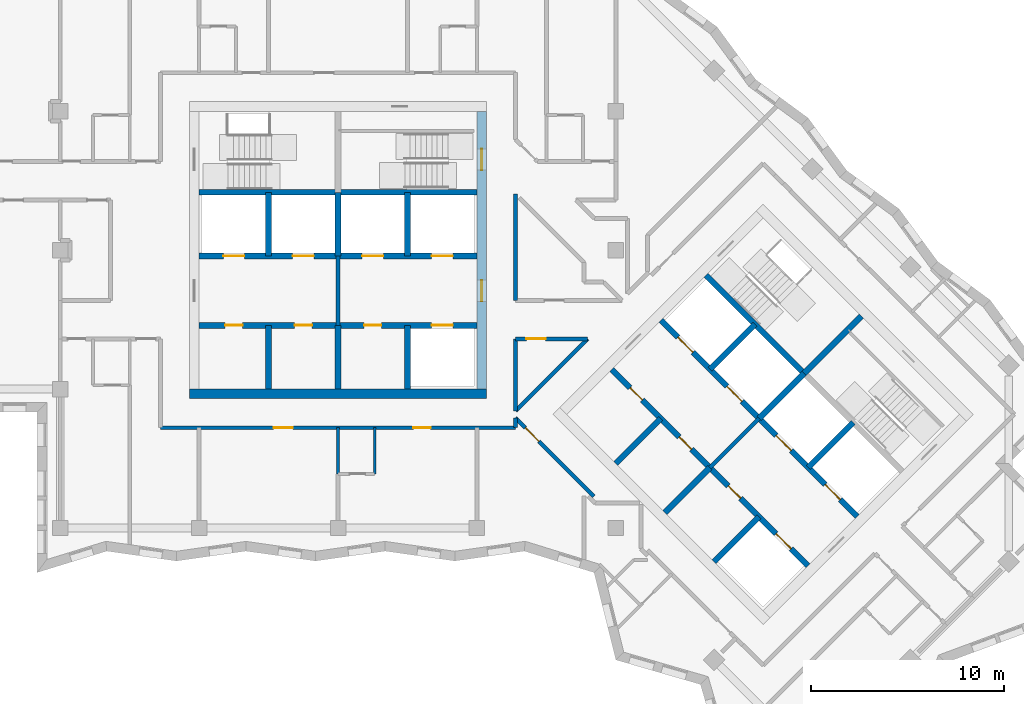
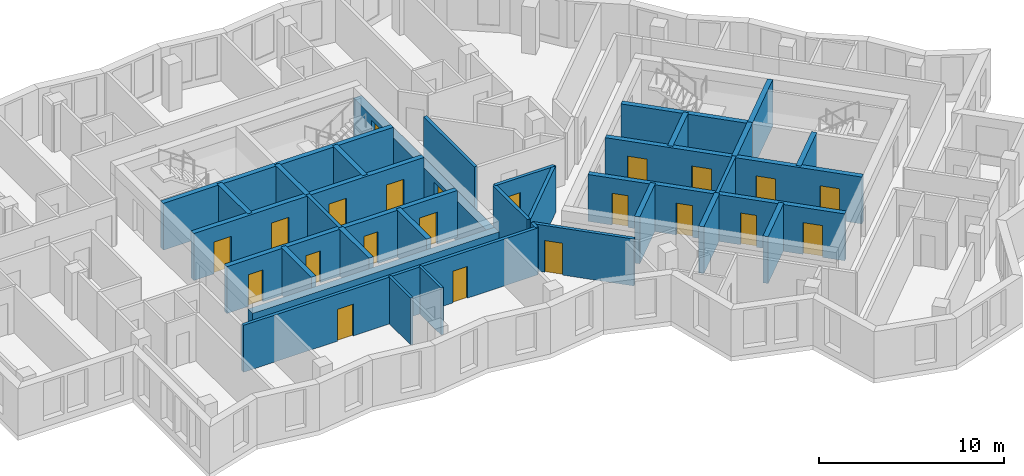
# One storey, part 4 of 12: 33 walls, 22 doors, 22 openings.
"""IFC4 building model written with IfcOpenShell, lengths in metres."""

from ifc_helpers import new_model, si_unit, direction, frame, frame_2d, origin, place, context, subcontext, project, spatial, rectangle, extrude, material, layer, layer_set, type_object, element, fill, save


model = new_model("IFC4")

# Units and contexts
model_context = context("Model", 3, precision=1e-05, world=origin(), true_north=direction((0.0, 1.0)))
body_context = subcontext(model_context, "Body", "Model", "MODEL_VIEW")
ifc_project = project(units=[si_unit("LENGTHUNIT", "METRE"), si_unit("AREAUNIT", "SQUARE_METRE"), si_unit("VOLUMEUNIT", "CUBIC_METRE"), si_unit("PLANEANGLEUNIT", "RADIAN"), si_unit("MASSUNIT", "GRAM", prefix="KILO")], contexts=[model_context])

# Site, building, storey
site_placement = place(None, origin())
site = spatial("IfcSite", under=ifc_project, at=site_placement, CompositionType="ELEMENT")
building_placement = place(site_placement, origin())
building = spatial("IfcBuilding", under=site, at=building_placement, Name="Windrow Commons", CompositionType="ELEMENT")
storey_placement = place(building_placement, frame((0.0, 0.0, 213.4)))
storey = spatial("IfcBuildingStorey", under=building, at=storey_placement, Name="L58", CompositionType="ELEMENT", Elevation=213.4)

# Walls
ifc_material_1 = material(Name="Blockwork partition", Category="masonry")
ifc_layer_1 = layer(ifc_material_1, 0.2)
ifc_layer_set_1 = layer_set([ifc_layer_1], Name="Fire lobby partition 200")
wall_type_1 = type_object("IfcWallType", Name="Fire lobby partition 200", PredefinedType="PARTITIONING", material=ifc_layer_set_1)
for number, where, z_axis, x_axis, name in (
    (1, (64.8, 53.7, 0.0), (0.0, 0.0, 1.0), (0.0, 1.0, 0.0), "W-core-lobby-A-L58"),
    (2, (84.079, 46.332, 0.0), (0.0, 0.0, 1.0), (0.7071067812, 0.7071067812, 0.0), "W-core-lobby-B-L58"),
):
    element("IfcWall", number, at=place(storey_placement, frame(where, z_axis=z_axis, x_axis=x_axis)), inside=storey, type_object=wall_type_1, Name=name, PredefinedType="PARTITIONING", context=body_context, shape_type="SweptSolid", body=[
        extrude(rectangle(XDim=3.6, YDim=0.2, at=frame_2d((1.8, 0.0))), origin(), (0.0, 0.0, 1.0), 3.1),
    ])

# Wall, openings, doors
ifc_material_2 = material(Name="Blockwork partition", Category="masonry")
ifc_layer_2 = layer(ifc_material_2, 0.2)
ifc_layer_set_2 = layer_set([ifc_layer_2], Name="IW-CORRIDOR-200")
wall_type_2 = type_object("IfcWallType", Name="IW-CORRIDOR-200", PredefinedType="PARTITIONING", material=ifc_layer_set_2)
wall_1_placement = place(storey_placement, frame((55.6, 48.4, 0.0), z_axis=(0.0, 0.0, 1.0), x_axis=(1.0, 0.0, 0.0)))
wall_1 = element("IfcWall", 3, at=wall_1_placement, inside=storey, type_object=wall_type_2, Name="W-L58-W000", PredefinedType="PARTITIONING", context=body_context, shape_type="SweptSolid", body=[
    extrude(rectangle(XDim=18.4, YDim=0.2, at=frame_2d((9.2, 0.0))), origin(), (0.0, 0.0, 1.0), 3.1),
])
opening_1_placement = place(wall_1_placement, frame((5.8625, 0.0, 0.0)))
opening_1 = element("IfcOpeningElement", 4, at=opening_1_placement, cuts=wall_1, Name="Opening D310F", PredefinedType="OPENING", context=body_context, shape_type="SweptSolid", body=[
    extrude(rectangle(XDim=1.0, YDim=2.1, at=frame_2d((0.5, 1.05))), frame((0.0, 0.11, 0.0), z_axis=(0.0, -1.0, 0.0), x_axis=(1.0, 0.0, 0.0)), (0.0, 0.0, 1.0), 0.22),
])
opening_2_placement = place(wall_1_placement, frame((13.0994, 0.0, 0.0)))
opening_2 = element("IfcOpeningElement", 5, at=opening_2_placement, cuts=wall_1, Name="Opening D109F", PredefinedType="OPENING", context=body_context, shape_type="SweptSolid", body=[
    extrude(rectangle(XDim=0.9, YDim=2.1, at=frame_2d((0.45, 1.05))), frame((0.0, 0.11, 0.0), z_axis=(0.0, -1.0, 0.0), x_axis=(1.0, 0.0, 0.0)), (0.0, 0.0, 1.0), 0.22),
])
ifc_material_3 = material(Name="Timber door leaf", Category="wood")
door_type_1 = type_object("IfcDoorType", Name="DT-AMENITY-1000", OperationType="SINGLE_SWING_LEFT", PredefinedType="DOOR", material=ifc_material_3)
door_1_placement = place(opening_1_placement, origin())
door_1 = element("IfcDoor", 6, at=door_1_placement, inside=storey, type_object=door_type_1, Name="D-L58-D030", OperationType="SINGLE_SWING_LEFT", OverallHeight=2.1, OverallWidth=1.0, PredefinedType="DOOR", context=body_context, shape_type="SweptSolid", body=[
    extrude(rectangle(XDim=1.0, YDim=2.1, at=frame_2d((0.5, 1.05))), frame((0.0, 0.025, 0.0), z_axis=(0.0, -1.0, 0.0), x_axis=(1.0, 0.0, 0.0)), (0.0, 0.0, 1.0), 0.05),
])
fill(opening_1, door_1)
ifc_material_4 = material(Name="Timber door leaf", Category="wood")
door_type_2 = type_object("IfcDoorType", Name="DT-BEDROOM-900", OperationType="SINGLE_SWING_LEFT", PredefinedType="DOOR", material=ifc_material_4)
door_2_placement = place(opening_2_placement, origin())
door_2 = element("IfcDoor", 7, at=door_2_placement, inside=storey, type_object=door_type_2, Name="D-L58-D031", OperationType="SINGLE_SWING_LEFT", OverallHeight=2.1, OverallWidth=0.9, PredefinedType="DOOR", context=body_context, shape_type="SweptSolid", body=[
    extrude(rectangle(XDim=0.9, YDim=2.1, at=frame_2d((0.45, 1.05))), frame((0.0, 0.025, 0.0), z_axis=(0.0, -1.0, 0.0), x_axis=(1.0, 0.0, 0.0)), (0.0, 0.0, 1.0), 0.05),
])
fill(opening_2, door_2)

# Wall, opening, door
wall_2_placement = place(storey_placement, frame((73.9987, 48.9107, 0.0), z_axis=(0.0, 0.0, 1.0), x_axis=(0.7071067812, -0.7071067812, 0.0)))
wall_2 = element("IfcWall", 8, at=wall_2_placement, inside=storey, type_object=wall_type_2, Name="W-L58-W027", PredefinedType="PARTITIONING", context=body_context, shape_type="SweptSolid", body=[
    extrude(rectangle(XDim=5.7445, YDim=0.2, at=frame_2d((2.8723, 0.0))), origin(), (0.0, 0.0, 1.0), 3.1),
])
opening_3_placement = place(wall_2_placement, frame((0.7238, 0.0, 0.0)))
opening_3 = element("IfcOpeningElement", 9, at=opening_3_placement, cuts=wall_2, Name="Opening D310F", PredefinedType="OPENING", context=body_context, shape_type="SweptSolid", body=[
    extrude(rectangle(XDim=1.0, YDim=2.1, at=frame_2d((0.5, 1.05))), frame((0.0, 0.11, 0.0), z_axis=(0.0, -1.0, 0.0), x_axis=(1.0, 0.0, 0.0)), (0.0, 0.0, 1.0), 0.22),
])
door_3_placement = place(opening_3_placement, origin())
door_3 = element("IfcDoor", 10, at=door_3_placement, inside=storey, type_object=door_type_1, Name="D-L58-D033", OperationType="SINGLE_SWING_LEFT", OverallHeight=2.1, OverallWidth=1.0, PredefinedType="DOOR", context=body_context, shape_type="SweptSolid", body=[
    extrude(rectangle(XDim=1.0, YDim=2.1, at=frame_2d((0.5, 1.05))), frame((0.0, 0.025, 0.0), z_axis=(0.0, -1.0, 0.0), x_axis=(1.0, 0.0, 0.0)), (0.0, 0.0, 1.0), 0.05),
])
fill(opening_3, door_3)

# Walls
wall_3_placement = place(storey_placement, frame((74.0, 55.002, 0.0), z_axis=(0.0, 0.0, 1.0), x_axis=(0.0, 1.0, 0.0)))
element("IfcWall", 11, at=wall_3_placement, inside=storey, type_object=wall_type_2, Name="W-L58-W030", PredefinedType="PARTITIONING", context=body_context, shape_type="SweptSolid", body=[
    extrude(rectangle(XDim=5.508, YDim=0.2, at=frame_2d((2.754, 0.0))), origin(), (0.0, 0.0, 1.0), 3.1),
])
wall_4_placement = place(storey_placement, frame((74.0013, 49.2667, 0.0), z_axis=(0.0, 0.0, 1.0), x_axis=(0.7071067812, 0.7071067812, 0.0)))
element("IfcWall", 12, at=wall_4_placement, inside=storey, type_object=wall_type_2, Name="W-L58-W031", PredefinedType="PARTITIONING", context=body_context, shape_type="SweptSolid", body=[
    extrude(rectangle(XDim=5.2778, YDim=0.2, at=frame_2d((2.6389, 0.0))), origin(), (0.0, 0.0, 1.0), 3.1),
])
wall_5_placement = place(storey_placement, frame((74.0, 49.266, 0.0), z_axis=(0.0, 0.0, 1.0), x_axis=(0.0, 1.0, 0.0)))
element("IfcWall", 13, at=wall_5_placement, inside=storey, type_object=wall_type_2, Name="W-L58-W046", PredefinedType="PARTITIONING", context=body_context, shape_type="SweptSolid", body=[
    extrude(rectangle(XDim=3.734, YDim=0.2, at=frame_2d((1.867, 0.0))), origin(), (0.0, 0.0, 1.0), 3.1),
])

# Wall, opening, door
wall_6_placement = place(storey_placement, frame((74.002, 53.0, 0.0), z_axis=(0.0, 0.0, 1.0), x_axis=(1.0, 0.0, 0.0)))
wall_6 = element("IfcWall", 14, at=wall_6_placement, inside=storey, type_object=wall_type_2, Name="W-L58-W047", PredefinedType="PARTITIONING", context=body_context, shape_type="SweptSolid", body=[
    extrude(rectangle(XDim=3.732, YDim=0.2, at=frame_2d((1.866, 0.0))), origin(), (0.0, 0.0, 1.0), 3.1),
])
opening_4_placement = place(wall_6_placement, frame((0.5641, 0.0, 0.0)))
opening_4 = element("IfcOpeningElement", 15, at=opening_4_placement, cuts=wall_6, Name="Opening D410F", PredefinedType="OPENING", context=body_context, shape_type="SweptSolid", body=[
    extrude(rectangle(XDim=1.0, YDim=2.1, at=frame_2d((0.5, 1.05))), frame((0.0, 0.11, 0.0), z_axis=(0.0, -1.0, 0.0), x_axis=(1.0, 0.0, 0.0)), (0.0, 0.0, 1.0), 0.22),
])
ifc_material_5 = material(Name="Timber door leaf", Category="wood")
door_type_3 = type_object("IfcDoorType", Name="DT-SERVICE-1000", OperationType="SINGLE_SWING_LEFT", PredefinedType="DOOR", material=ifc_material_5)
door_4_placement = place(opening_4_placement, origin())
door_4 = element("IfcDoor", 16, at=door_4_placement, inside=storey, type_object=door_type_3, Name="D-L58-D000", OperationType="SINGLE_SWING_RIGHT", OverallHeight=2.1, OverallWidth=1.0, PredefinedType="DOOR", context=body_context, shape_type="SweptSolid", body=[
    extrude(rectangle(XDim=1.0, YDim=2.1, at=frame_2d((0.5, 1.05))), frame((0.0, 0.025, 0.0), z_axis=(0.0, -1.0, 0.0), x_axis=(1.0, 0.0, 0.0)), (0.0, 0.0, 1.0), 0.05),
])
fill(opening_4, door_4)

# Walls
wall_7_placement = place(storey_placement, frame((74.0, 48.4, 0.0), z_axis=(0.0, 0.0, 1.0), x_axis=(0.0, 1.0, 0.0)))
element("IfcWall", 17, at=wall_7_placement, inside=storey, type_object=wall_type_2, Name="W-L58-W139", PredefinedType="PARTITIONING", context=body_context, shape_type="SweptSolid", body=[
    extrude(rectangle(XDim=0.514, YDim=0.2, at=frame_2d((0.257, 0.0))), origin(), (0.0, 0.0, 1.0), 3.1),
])
ifc_material_6 = material(Name="Blockwork partition", Category="masonry")
ifc_layer_3 = layer(ifc_material_6, 0.15)
ifc_layer_set_3 = layer_set([ifc_layer_3], Name="IW-ENSUITE-150")
wall_type_3 = type_object("IfcWallType", Name="IW-ENSUITE-150", PredefinedType="PARTITIONING", material=ifc_layer_set_3)
for number, where, z_axis, x_axis, name in (
    (18, (66.7, 46.0, 0.0), (0.0, 0.0, 1.0), (0.0, 1.0, 0.0), "W-L58-W071"),
    (19, (64.8, 46.0, 0.0), (0.0, 0.0, 1.0), (0.0, 1.0, 0.0), "W-L58-W072"),
):
    element("IfcWall", number, at=place(storey_placement, frame(where, z_axis=z_axis, x_axis=x_axis)), inside=storey, type_object=wall_type_3, Name=name, PredefinedType="PARTITIONING", context=body_context, shape_type="SweptSolid", body=[
        extrude(rectangle(XDim=2.4, YDim=0.15, at=frame_2d((1.2, 0.0))), origin(), (0.0, 0.0, 1.0), 3.1),
    ])
ifc_material_7 = material(Name="Concrete C40/50", Category="concrete")
ifc_layer_4 = layer(ifc_material_7, 0.5)
ifc_layer_set_4 = layer_set([ifc_layer_4], Name="RC CORE WALL 500 C40/50")
wall_type_4 = type_object("IfcWallType", Name="RC CORE WALL 500 C40/50", PredefinedType="SHEAR", material=ifc_layer_set_4)
wall_8_placement = place(storey_placement, frame((57.1, 50.15, -0.3), z_axis=(0.0, 0.0, 1.0), x_axis=(1.0, 0.0, 0.0)))
element("IfcWall", 20, at=wall_8_placement, inside=storey, type_object=wall_type_4, Name="Core A wall outer-S", PredefinedType="SHEAR", context=body_context, shape_type="SweptSolid", body=[
    extrude(rectangle(XDim=15.4, YDim=0.5, at=frame_2d((7.7, 0.0))), origin(), (0.0, 0.0, 1.0), 2.7),
])

# Wall, openings, doors
wall_9_placement = place(storey_placement, frame((72.25, 50.4, -0.3), z_axis=(0.0, 0.0, 1.0), x_axis=(0.0, 1.0, 0.0)))
wall_9 = element("IfcWall", 21, at=wall_9_placement, inside=storey, type_object=wall_type_4, Name="Core A wall outer-E", PredefinedType="SHEAR", context=body_context, shape_type="SweptSolid", body=[
    extrude(rectangle(XDim=14.4, YDim=0.5, at=frame_2d((7.2, 0.0))), origin(), (0.0, 0.0, 1.0), 2.7),
])
opening_5_placement = place(wall_9_placement, frame((4.55, 0.0, 0.3)))
opening_5 = element("IfcOpeningElement", 22, at=opening_5_placement, cuts=wall_9, Name="Opening D6", PredefinedType="OPENING", context=body_context, shape_type="SweptSolid", body=[
    extrude(rectangle(XDim=1.1, YDim=2.1, at=frame_2d((0.55, 1.05))), frame((0.0, 0.26, 0.0), z_axis=(0.0, -1.0, 0.0), x_axis=(1.0, 0.0, 0.0)), (0.0, 0.0, 1.0), 0.52),
])
opening_6_placement = place(wall_9_placement, frame((11.35, 0.0, 0.3)))
opening_6 = element("IfcOpeningElement", 23, at=opening_6_placement, cuts=wall_9, Name="Opening D7", PredefinedType="OPENING", context=body_context, shape_type="SweptSolid", body=[
    extrude(rectangle(XDim=1.1, YDim=2.1, at=frame_2d((0.55, 1.05))), frame((0.0, 0.26, 0.0), z_axis=(0.0, -1.0, 0.0), x_axis=(1.0, 0.0, 0.0)), (0.0, 0.0, 1.0), 0.52),
])
ifc_material_8 = material(Name="Steel fire door leaf", Category="steel")
door_type_4 = type_object("IfcDoorType", Name="Core lobby door 1100", OperationType="SINGLE_SWING_LEFT", PredefinedType="DOOR", material=ifc_material_8)
door_5_placement = place(opening_5_placement, origin())
door_5 = element("IfcDoor", 24, at=door_5_placement, inside=storey, type_object=door_type_4, Name="Lift lobby door", OperationType="DOUBLE_DOOR_SINGLE_SWING", OverallHeight=2.1, OverallWidth=1.1, PredefinedType="DOOR", context=body_context, shape_type="SweptSolid", body=[
    extrude(rectangle(XDim=1.1, YDim=2.1, at=frame_2d((0.55, 1.05))), frame((0.0, 0.025, 0.0), z_axis=(0.0, -1.0, 0.0), x_axis=(1.0, 0.0, 0.0)), (0.0, 0.0, 1.0), 0.05),
])
fill(opening_5, door_5)
ifc_material_9 = material(Name="Steel fire door leaf", Category="steel")
door_type_5 = type_object("IfcDoorType", Name="Stair door 1100", OperationType="SINGLE_SWING_LEFT", PredefinedType="DOOR", material=ifc_material_9)
door_6_placement = place(opening_6_placement, origin())
door_6 = element("IfcDoor", 25, at=door_6_placement, inside=storey, type_object=door_type_5, Name="Stair door", OperationType="SINGLE_SWING_RIGHT", OverallHeight=2.1, OverallWidth=1.1, PredefinedType="DOOR", context=body_context, shape_type="SweptSolid", body=[
    extrude(rectangle(XDim=1.1, YDim=2.1, at=frame_2d((0.55, 1.05))), frame((0.0, 0.025, 0.0), z_axis=(0.0, -1.0, 0.0), x_axis=(1.0, 0.0, 0.0)), (0.0, 0.0, 1.0), 0.05),
])
fill(opening_6, door_6)

# Walls
ifc_material_10 = material(Name="Concrete C40/50", Category="concrete")
ifc_layer_5 = layer(ifc_material_10, 0.3)
ifc_layer_set_5 = layer_set([ifc_layer_5], Name="RC SHAFT WALL 300 C40/50")
wall_type_5 = type_object("IfcWallType", Name="RC SHAFT WALL 300 C40/50", PredefinedType="SOLIDWALL", material=ifc_layer_set_5)
for number, where, z_axis, x_axis, name in (
    (26, (61.2, 50.4, 0.0), (0.0, 0.0, 1.0), (0.0, 1.0, 0.0), "Core A wall shaft-S1"),
    (27, (61.2, 57.3, 0.0), (0.0, 0.0, 1.0), (0.0, 1.0, 0.0), "Core A wall shaft-N1"),
    (28, (64.8, 50.4, 0.0), (0.0, 0.0, 1.0), (0.0, 1.0, 0.0), "Core A wall shaft-S2"),
    (29, (64.8, 57.3, 0.0), (0.0, 0.0, 1.0), (0.0, 1.0, 0.0), "Core A wall shaft-N2"),
    (30, (68.4, 50.4, 0.0), (0.0, 0.0, 1.0), (0.0, 1.0, 0.0), "Core A wall shaft-S3"),
    (31, (68.4, 57.3, 0.0), (0.0, 0.0, 1.0), (0.0, 1.0, 0.0), "Core A wall shaft-N3"),
):
    element("IfcWall", number, at=place(storey_placement, frame(where, z_axis=z_axis, x_axis=x_axis)), inside=storey, type_object=wall_type_5, Name=name, PredefinedType="SOLIDWALL", context=body_context, shape_type="SweptSolid", body=[
        extrude(rectangle(XDim=3.3, YDim=0.3, at=frame_2d((1.65, 0.0))), origin(), (0.0, 0.0, 1.0), 3.1),
    ])

# Wall, openings, doors
wall_10_placement = place(storey_placement, frame((57.6, 53.7, 0.0), z_axis=(0.0, 0.0, 1.0), x_axis=(1.0, 0.0, 0.0)))
wall_10 = element("IfcWall", 32, at=wall_10_placement, inside=storey, type_object=wall_type_5, Name="Core A wall lobby-S", PredefinedType="SOLIDWALL", context=body_context, shape_type="SweptSolid", body=[
    extrude(rectangle(XDim=14.4, YDim=0.3, at=frame_2d((7.2, 0.0))), origin(), (0.0, 0.0, 1.0), 3.1),
])
opening_7_placement = place(wall_10_placement, frame((1.35, 0.0, 0.0)))
opening_7 = element("IfcOpeningElement", 33, at=opening_7_placement, cuts=wall_10, Name="Opening D8", PredefinedType="OPENING", context=body_context, shape_type="SweptSolid", body=[
    extrude(rectangle(XDim=0.9, YDim=2.1, at=frame_2d((0.45, 1.05))), frame((0.0, 0.16, 0.0), z_axis=(0.0, -1.0, 0.0), x_axis=(1.0, 0.0, 0.0)), (0.0, 0.0, 1.0), 0.32),
])
opening_8_placement = place(wall_10_placement, frame((4.95, 0.0, 0.0)))
opening_8 = element("IfcOpeningElement", 34, at=opening_8_placement, cuts=wall_10, Name="Opening D8", PredefinedType="OPENING", context=body_context, shape_type="SweptSolid", body=[
    extrude(rectangle(XDim=0.9, YDim=2.1, at=frame_2d((0.45, 1.05))), frame((0.0, 0.16, 0.0), z_axis=(0.0, -1.0, 0.0), x_axis=(1.0, 0.0, 0.0)), (0.0, 0.0, 1.0), 0.32),
])
opening_9_placement = place(wall_10_placement, frame((8.55, 0.0, 0.0)))
opening_9 = element("IfcOpeningElement", 35, at=opening_9_placement, cuts=wall_10, Name="Opening D8", PredefinedType="OPENING", context=body_context, shape_type="SweptSolid", body=[
    extrude(rectangle(XDim=0.9, YDim=2.1, at=frame_2d((0.45, 1.05))), frame((0.0, 0.16, 0.0), z_axis=(0.0, -1.0, 0.0), x_axis=(1.0, 0.0, 0.0)), (0.0, 0.0, 1.0), 0.32),
])
opening_10_placement = place(wall_10_placement, frame((12.05, 0.0, 0.0)))
opening_10 = element("IfcOpeningElement", 36, at=opening_10_placement, cuts=wall_10, Name="Opening LD", PredefinedType="OPENING", context=body_context, shape_type="SweptSolid", body=[
    extrude(rectangle(XDim=1.1, YDim=2.1, at=frame_2d((0.55, 1.05))), frame((0.0, 0.16, 0.0), z_axis=(0.0, -1.0, 0.0), x_axis=(1.0, 0.0, 0.0)), (0.0, 0.0, 1.0), 0.32),
])
ifc_material_11 = material(Name="Steel fire door leaf", Category="steel")
door_type_6 = type_object("IfcDoorType", Name="Core store door 900", OperationType="SINGLE_SWING_LEFT", PredefinedType="DOOR", material=ifc_material_11)
door_7_placement = place(opening_7_placement, origin())
door_7 = element("IfcDoor", 37, at=door_7_placement, inside=storey, type_object=door_type_6, Name="Store door", OperationType="SINGLE_SWING_LEFT", OverallHeight=2.1, OverallWidth=0.9, PredefinedType="DOOR", context=body_context, shape_type="SweptSolid", body=[
    extrude(rectangle(XDim=0.9, YDim=2.1, at=frame_2d((0.45, 1.05))), frame((0.0, 0.025, 0.0), z_axis=(0.0, -1.0, 0.0), x_axis=(1.0, 0.0, 0.0)), (0.0, 0.0, 1.0), 0.05),
])
fill(opening_7, door_7)
door_8_placement = place(opening_8_placement, origin())
door_8 = element("IfcDoor", 38, at=door_8_placement, inside=storey, type_object=door_type_6, Name="Store door", OperationType="SINGLE_SWING_LEFT", OverallHeight=2.1, OverallWidth=0.9, PredefinedType="DOOR", context=body_context, shape_type="SweptSolid", body=[
    extrude(rectangle(XDim=0.9, YDim=2.1, at=frame_2d((0.45, 1.05))), frame((0.0, 0.025, 0.0), z_axis=(0.0, -1.0, 0.0), x_axis=(1.0, 0.0, 0.0)), (0.0, 0.0, 1.0), 0.05),
])
fill(opening_8, door_8)
door_9_placement = place(opening_9_placement, origin())
door_9 = element("IfcDoor", 39, at=door_9_placement, inside=storey, type_object=door_type_6, Name="Store door", OperationType="SINGLE_SWING_LEFT", OverallHeight=2.1, OverallWidth=0.9, PredefinedType="DOOR", context=body_context, shape_type="SweptSolid", body=[
    extrude(rectangle(XDim=0.9, YDim=2.1, at=frame_2d((0.45, 1.05))), frame((0.0, 0.025, 0.0), z_axis=(0.0, -1.0, 0.0), x_axis=(1.0, 0.0, 0.0)), (0.0, 0.0, 1.0), 0.05),
])
fill(opening_9, door_9)
ifc_material_12 = material(Name="Stainless steel door leaf", Category="steel")
door_type_7 = type_object("IfcDoorType", Name="Lift landing door 1100", OperationType="SLIDING_TO_LEFT", PredefinedType="DOOR", material=ifc_material_12)
door_10_placement = place(opening_10_placement, origin())
door_10 = element("IfcDoor", 40, at=door_10_placement, inside=storey, type_object=door_type_7, Name="Lift landing door", OperationType="SLIDING_TO_RIGHT", OverallHeight=2.1, OverallWidth=1.1, PredefinedType="DOOR", context=body_context, shape_type="SweptSolid", body=[
    extrude(rectangle(XDim=1.1, YDim=2.1, at=frame_2d((0.55, 1.05))), frame((0.0, 0.025, 0.0), z_axis=(0.0, -1.0, 0.0), x_axis=(1.0, 0.0, 0.0)), (0.0, 0.0, 1.0), 0.05),
])
fill(opening_10, door_10)

wall_11_placement = place(storey_placement, frame((57.6, 57.3, 0.0), z_axis=(0.0, 0.0, 1.0), x_axis=(1.0, 0.0, 0.0)))
wall_11 = element("IfcWall", 41, at=wall_11_placement, inside=storey, type_object=wall_type_5, Name="Core A wall lobby-N", PredefinedType="SOLIDWALL", context=body_context, shape_type="SweptSolid", body=[
    extrude(rectangle(XDim=14.4, YDim=0.3, at=frame_2d((7.2, 0.0))), origin(), (0.0, 0.0, 1.0), 3.1),
])
opening_11_placement = place(wall_11_placement, frame((1.25, 0.0, 0.0)))
opening_11 = element("IfcOpeningElement", 42, at=opening_11_placement, cuts=wall_11, Name="Opening LD", PredefinedType="OPENING", context=body_context, shape_type="SweptSolid", body=[
    extrude(rectangle(XDim=1.1, YDim=2.1, at=frame_2d((0.55, 1.05))), frame((0.0, 0.16, 0.0), z_axis=(0.0, -1.0, 0.0), x_axis=(1.0, 0.0, 0.0)), (0.0, 0.0, 1.0), 0.32),
])
opening_12_placement = place(wall_11_placement, frame((4.85, 0.0, 0.0)))
opening_12 = element("IfcOpeningElement", 43, at=opening_12_placement, cuts=wall_11, Name="Opening LD", PredefinedType="OPENING", context=body_context, shape_type="SweptSolid", body=[
    extrude(rectangle(XDim=1.1, YDim=2.1, at=frame_2d((0.55, 1.05))), frame((0.0, 0.16, 0.0), z_axis=(0.0, -1.0, 0.0), x_axis=(1.0, 0.0, 0.0)), (0.0, 0.0, 1.0), 0.32),
])
opening_13_placement = place(wall_11_placement, frame((8.45, 0.0, 0.0)))
opening_13 = element("IfcOpeningElement", 44, at=opening_13_placement, cuts=wall_11, Name="Opening LD", PredefinedType="OPENING", context=body_context, shape_type="SweptSolid", body=[
    extrude(rectangle(XDim=1.1, YDim=2.1, at=frame_2d((0.55, 1.05))), frame((0.0, 0.16, 0.0), z_axis=(0.0, -1.0, 0.0), x_axis=(1.0, 0.0, 0.0)), (0.0, 0.0, 1.0), 0.32),
])
opening_14_placement = place(wall_11_placement, frame((12.05, 0.0, 0.0)))
opening_14 = element("IfcOpeningElement", 45, at=opening_14_placement, cuts=wall_11, Name="Opening LD", PredefinedType="OPENING", context=body_context, shape_type="SweptSolid", body=[
    extrude(rectangle(XDim=1.1, YDim=2.1, at=frame_2d((0.55, 1.05))), frame((0.0, 0.16, 0.0), z_axis=(0.0, -1.0, 0.0), x_axis=(1.0, 0.0, 0.0)), (0.0, 0.0, 1.0), 0.32),
])
door_11_placement = place(opening_11_placement, origin())
door_11 = element("IfcDoor", 46, at=door_11_placement, inside=storey, type_object=door_type_7, Name="Lift landing door", OperationType="SLIDING_TO_LEFT", OverallHeight=2.1, OverallWidth=1.1, PredefinedType="DOOR", context=body_context, shape_type="SweptSolid", body=[
    extrude(rectangle(XDim=1.1, YDim=2.1, at=frame_2d((0.55, 1.05))), frame((0.0, 0.025, 0.0), z_axis=(0.0, -1.0, 0.0), x_axis=(1.0, 0.0, 0.0)), (0.0, 0.0, 1.0), 0.05),
])
fill(opening_11, door_11)
door_12_placement = place(opening_12_placement, origin())
door_12 = element("IfcDoor", 47, at=door_12_placement, inside=storey, type_object=door_type_7, Name="Lift landing door", OperationType="SLIDING_TO_RIGHT", OverallHeight=2.1, OverallWidth=1.1, PredefinedType="DOOR", context=body_context, shape_type="SweptSolid", body=[
    extrude(rectangle(XDim=1.1, YDim=2.1, at=frame_2d((0.55, 1.05))), frame((0.0, 0.025, 0.0), z_axis=(0.0, -1.0, 0.0), x_axis=(1.0, 0.0, 0.0)), (0.0, 0.0, 1.0), 0.05),
])
fill(opening_12, door_12)
door_13_placement = place(opening_13_placement, origin())
door_13 = element("IfcDoor", 48, at=door_13_placement, inside=storey, type_object=door_type_7, Name="Lift landing door", OperationType="SLIDING_TO_LEFT", OverallHeight=2.1, OverallWidth=1.1, PredefinedType="DOOR", context=body_context, shape_type="SweptSolid", body=[
    extrude(rectangle(XDim=1.1, YDim=2.1, at=frame_2d((0.55, 1.05))), frame((0.0, 0.025, 0.0), z_axis=(0.0, -1.0, 0.0), x_axis=(1.0, 0.0, 0.0)), (0.0, 0.0, 1.0), 0.05),
])
fill(opening_13, door_13)
door_14_placement = place(opening_14_placement, origin())
door_14 = element("IfcDoor", 49, at=door_14_placement, inside=storey, type_object=door_type_7, Name="Lift landing door", OperationType="SLIDING_TO_RIGHT", OverallHeight=2.1, OverallWidth=1.1, PredefinedType="DOOR", context=body_context, shape_type="SweptSolid", body=[
    extrude(rectangle(XDim=1.1, YDim=2.1, at=frame_2d((0.55, 1.05))), frame((0.0, 0.025, 0.0), z_axis=(0.0, -1.0, 0.0), x_axis=(1.0, 0.0, 0.0)), (0.0, 0.0, 1.0), 0.05),
])
fill(opening_14, door_14)

# Walls
for number, where, z_axis, x_axis, name in (
    (50, (57.6, 60.6, 0.0), (0.0, 0.0, 1.0), (1.0, 0.0, 0.0), "Core A wall stair-S"),
    (51, (64.8, 60.6, 0.0), (0.0, 0.0, 1.0), (1.0, 0.0, 0.0), "Core A wall stair-S2"),
):
    element("IfcWall", number, at=place(storey_placement, frame(where, z_axis=z_axis, x_axis=x_axis)), inside=storey, type_object=wall_type_5, Name=name, PredefinedType="SOLIDWALL", context=body_context, shape_type="SweptSolid", body=[
        extrude(rectangle(XDim=7.2, YDim=0.3, at=frame_2d((3.6, 0.0))), origin(), (0.0, 0.0, 1.0), 3.1),
    ])
for number, where, z_axis, x_axis, name in (
    (52, (79.2, 46.5442, 0.0), (0.0, 0.0, 1.0), (0.7071219326, 0.7070916295, 0.0), "Core B wall shaft-S1"),
    (53, (84.079, 51.4232, 0.0), (0.0, 0.0, 1.0), (0.7071219326, 0.7070916295, 0.0), "Core B wall shaft-N1"),
):
    element("IfcWall", number, at=place(storey_placement, frame(where, z_axis=z_axis, x_axis=x_axis)), inside=storey, type_object=wall_type_5, Name=name, PredefinedType="SOLIDWALL", context=body_context, shape_type="SweptSolid", body=[
        extrude(rectangle(XDim=3.3, YDim=0.3, at=frame_2d((1.65, 0.0))), origin(), (0.0, 0.0, 1.0), 3.1),
    ])
wall_12_placement = place(storey_placement, frame((81.7456, 43.9986, 0.0), z_axis=(0.0, 0.0, 1.0), x_axis=(0.7071067812, 0.7071067812, 0.0)))
element("IfcWall", 54, at=wall_12_placement, inside=storey, type_object=wall_type_5, Name="Core B wall shaft-S2", PredefinedType="SOLIDWALL", context=body_context, shape_type="SweptSolid", body=[
    extrude(rectangle(XDim=3.2999, YDim=0.3, at=frame_2d((1.65, 0.0))), origin(), (0.0, 0.0, 1.0), 3.1),
])
wall_13_placement = place(storey_placement, frame((86.6246, 48.8776, 0.0), z_axis=(0.0, 0.0, 1.0), x_axis=(0.7071067812, 0.7071067812, 0.0)))
element("IfcWall", 55, at=wall_13_placement, inside=storey, type_object=wall_type_5, Name="Core B wall shaft-N2", PredefinedType="SOLIDWALL", context=body_context, shape_type="SweptSolid", body=[
    extrude(rectangle(XDim=3.3001, YDim=0.3, at=frame_2d((1.6501, 0.0))), origin(), (0.0, 0.0, 1.0), 3.1),
])
wall_14_placement = place(storey_placement, frame((84.2912, 41.453, 0.0), z_axis=(0.0, 0.0, 1.0), x_axis=(0.7071067812, 0.7071067812, 0.0)))
element("IfcWall", 56, at=wall_14_placement, inside=storey, type_object=wall_type_5, Name="Core B wall shaft-S3", PredefinedType="SOLIDWALL", context=body_context, shape_type="SweptSolid", body=[
    extrude(rectangle(XDim=3.2999, YDim=0.3, at=frame_2d((1.65, 0.0))), origin(), (0.0, 0.0, 1.0), 3.1),
])
wall_15_placement = place(storey_placement, frame((89.1702, 46.332, 0.0), z_axis=(0.0, 0.0, 1.0), x_axis=(0.7071067812, 0.7071067812, 0.0)))
element("IfcWall", 57, at=wall_15_placement, inside=storey, type_object=wall_type_5, Name="Core B wall shaft-N3", PredefinedType="SOLIDWALL", context=body_context, shape_type="SweptSolid", body=[
    extrude(rectangle(XDim=3.3001, YDim=0.3, at=frame_2d((1.6501, 0.0))), origin(), (0.0, 0.0, 1.0), 3.1),
])

# Wall, openings, doors
wall_16_placement = place(storey_placement, frame((78.9879, 51.4232, 0.0), z_axis=(0.0, 0.0, 1.0), x_axis=(0.7071067812, -0.7071067812, 0.0)))
wall_16 = element("IfcWall", 58, at=wall_16_placement, inside=storey, type_object=wall_type_5, Name="Core B wall lobby-S", PredefinedType="SOLIDWALL", context=body_context, shape_type="SweptSolid", body=[
    extrude(rectangle(XDim=14.3999, YDim=0.3, at=frame_2d((7.2, 0.0))), origin(), (0.0, 0.0, 1.0), 3.1),
])
opening_15_placement = place(wall_16_placement, frame((1.35, 0.0, 0.0)))
opening_15 = element("IfcOpeningElement", 59, at=opening_15_placement, cuts=wall_16, Name="Opening D8", PredefinedType="OPENING", context=body_context, shape_type="SweptSolid", body=[
    extrude(rectangle(XDim=0.9, YDim=2.1, at=frame_2d((0.45, 1.05))), frame((0.0, 0.16, 0.0), z_axis=(0.0, -1.0, 0.0), x_axis=(1.0, 0.0, 0.0)), (0.0, 0.0, 1.0), 0.32),
])
opening_16_placement = place(wall_16_placement, frame((4.95, 0.0, 0.0)))
opening_16 = element("IfcOpeningElement", 60, at=opening_16_placement, cuts=wall_16, Name="Opening D8", PredefinedType="OPENING", context=body_context, shape_type="SweptSolid", body=[
    extrude(rectangle(XDim=0.9, YDim=2.1, at=frame_2d((0.45, 1.05))), frame((0.0, 0.16, 0.0), z_axis=(0.0, -1.0, 0.0), x_axis=(1.0, 0.0, 0.0)), (0.0, 0.0, 1.0), 0.32),
])
opening_17_placement = place(wall_16_placement, frame((8.55, 0.0, 0.0)))
opening_17 = element("IfcOpeningElement", 61, at=opening_17_placement, cuts=wall_16, Name="Opening D8", PredefinedType="OPENING", context=body_context, shape_type="SweptSolid", body=[
    extrude(rectangle(XDim=0.9, YDim=2.1, at=frame_2d((0.45, 1.05))), frame((0.0, 0.16, 0.0), z_axis=(0.0, -1.0, 0.0), x_axis=(1.0, 0.0, 0.0)), (0.0, 0.0, 1.0), 0.32),
])
opening_18_placement = place(wall_16_placement, frame((12.05, 0.0, 0.0)))
opening_18 = element("IfcOpeningElement", 62, at=opening_18_placement, cuts=wall_16, Name="Opening LD", PredefinedType="OPENING", context=body_context, shape_type="SweptSolid", body=[
    extrude(rectangle(XDim=1.1, YDim=2.1, at=frame_2d((0.55, 1.05))), frame((0.0, 0.16, 0.0), z_axis=(0.0, -1.0, 0.0), x_axis=(1.0, 0.0, 0.0)), (0.0, 0.0, 1.0), 0.32),
])
door_15_placement = place(opening_15_placement, origin())
door_15 = element("IfcDoor", 63, at=door_15_placement, inside=storey, type_object=door_type_6, Name="Store door", OperationType="SINGLE_SWING_LEFT", OverallHeight=2.1, OverallWidth=0.9, PredefinedType="DOOR", context=body_context, shape_type="SweptSolid", body=[
    extrude(rectangle(XDim=0.9, YDim=2.1, at=frame_2d((0.45, 1.05))), frame((0.0, 0.025, 0.0), z_axis=(0.0, -1.0, 0.0), x_axis=(1.0, 0.0, 0.0)), (0.0, 0.0, 1.0), 0.05),
])
fill(opening_15, door_15)
door_16_placement = place(opening_16_placement, origin())
door_16 = element("IfcDoor", 64, at=door_16_placement, inside=storey, type_object=door_type_6, Name="Store door", OperationType="SINGLE_SWING_LEFT", OverallHeight=2.1, OverallWidth=0.9, PredefinedType="DOOR", context=body_context, shape_type="SweptSolid", body=[
    extrude(rectangle(XDim=0.9, YDim=2.1, at=frame_2d((0.45, 1.05))), frame((0.0, 0.025, 0.0), z_axis=(0.0, -1.0, 0.0), x_axis=(1.0, 0.0, 0.0)), (0.0, 0.0, 1.0), 0.05),
])
fill(opening_16, door_16)
door_17_placement = place(opening_17_placement, origin())
door_17 = element("IfcDoor", 65, at=door_17_placement, inside=storey, type_object=door_type_6, Name="Store door", OperationType="SINGLE_SWING_LEFT", OverallHeight=2.1, OverallWidth=0.9, PredefinedType="DOOR", context=body_context, shape_type="SweptSolid", body=[
    extrude(rectangle(XDim=0.9, YDim=2.1, at=frame_2d((0.45, 1.05))), frame((0.0, 0.025, 0.0), z_axis=(0.0, -1.0, 0.0), x_axis=(1.0, 0.0, 0.0)), (0.0, 0.0, 1.0), 0.05),
])
fill(opening_17, door_17)
door_18_placement = place(opening_18_placement, origin())
door_18 = element("IfcDoor", 66, at=door_18_placement, inside=storey, type_object=door_type_7, Name="Lift landing door", OperationType="SLIDING_TO_RIGHT", OverallHeight=2.1, OverallWidth=1.1, PredefinedType="DOOR", context=body_context, shape_type="SweptSolid", body=[
    extrude(rectangle(XDim=1.1, YDim=2.1, at=frame_2d((0.55, 1.05))), frame((0.0, 0.025, 0.0), z_axis=(0.0, -1.0, 0.0), x_axis=(1.0, 0.0, 0.0)), (0.0, 0.0, 1.0), 0.05),
])
fill(opening_18, door_18)

wall_17_placement = place(storey_placement, frame((81.5335, 53.9688, 0.0), z_axis=(0.0, 0.0, 1.0), x_axis=(0.707103309, -0.7071102534, 0.0)))
wall_17 = element("IfcWall", 67, at=wall_17_placement, inside=storey, type_object=wall_type_5, Name="Core B wall lobby-N", PredefinedType="SOLIDWALL", context=body_context, shape_type="SweptSolid", body=[
    extrude(rectangle(XDim=14.4, YDim=0.3, at=frame_2d((7.2, 0.0))), origin(), (0.0, 0.0, 1.0), 3.1),
])
opening_19_placement = place(wall_17_placement, frame((1.25, 0.0, 0.0)))
opening_19 = element("IfcOpeningElement", 68, at=opening_19_placement, cuts=wall_17, Name="Opening LD", PredefinedType="OPENING", context=body_context, shape_type="SweptSolid", body=[
    extrude(rectangle(XDim=1.1, YDim=2.1, at=frame_2d((0.55, 1.05))), frame((0.0, 0.16, 0.0), z_axis=(0.0, -1.0, 0.0), x_axis=(1.0, 0.0, 0.0)), (0.0, 0.0, 1.0), 0.32),
])
opening_20_placement = place(wall_17_placement, frame((4.85, 0.0, 0.0)))
opening_20 = element("IfcOpeningElement", 69, at=opening_20_placement, cuts=wall_17, Name="Opening LD", PredefinedType="OPENING", context=body_context, shape_type="SweptSolid", body=[
    extrude(rectangle(XDim=1.1, YDim=2.1, at=frame_2d((0.55, 1.05))), frame((0.0, 0.16, 0.0), z_axis=(0.0, -1.0, 0.0), x_axis=(1.0, 0.0, 0.0)), (0.0, 0.0, 1.0), 0.32),
])
opening_21_placement = place(wall_17_placement, frame((8.45, 0.0, 0.0)))
opening_21 = element("IfcOpeningElement", 70, at=opening_21_placement, cuts=wall_17, Name="Opening LD", PredefinedType="OPENING", context=body_context, shape_type="SweptSolid", body=[
    extrude(rectangle(XDim=1.1, YDim=2.1, at=frame_2d((0.55, 1.05))), frame((0.0, 0.16, 0.0), z_axis=(0.0, -1.0, 0.0), x_axis=(1.0, 0.0, 0.0)), (0.0, 0.0, 1.0), 0.32),
])
opening_22_placement = place(wall_17_placement, frame((12.05, 0.0, 0.0)))
opening_22 = element("IfcOpeningElement", 71, at=opening_22_placement, cuts=wall_17, Name="Opening LD", PredefinedType="OPENING", context=body_context, shape_type="SweptSolid", body=[
    extrude(rectangle(XDim=1.1, YDim=2.1, at=frame_2d((0.55, 1.05))), frame((0.0, 0.16, 0.0), z_axis=(0.0, -1.0, 0.0), x_axis=(1.0, 0.0, 0.0)), (0.0, 0.0, 1.0), 0.32),
])
door_19_placement = place(opening_19_placement, origin())
door_19 = element("IfcDoor", 72, at=door_19_placement, inside=storey, type_object=door_type_7, Name="Lift landing door", OperationType="SLIDING_TO_LEFT", OverallHeight=2.1, OverallWidth=1.1, PredefinedType="DOOR", context=body_context, shape_type="SweptSolid", body=[
    extrude(rectangle(XDim=1.1, YDim=2.1, at=frame_2d((0.55, 1.05))), frame((0.0, 0.025, 0.0), z_axis=(0.0, -1.0, 0.0), x_axis=(1.0, 0.0, 0.0)), (0.0, 0.0, 1.0), 0.05),
])
fill(opening_19, door_19)
door_20_placement = place(opening_20_placement, origin())
door_20 = element("IfcDoor", 73, at=door_20_placement, inside=storey, type_object=door_type_7, Name="Lift landing door", OperationType="SLIDING_TO_RIGHT", OverallHeight=2.1, OverallWidth=1.1, PredefinedType="DOOR", context=body_context, shape_type="SweptSolid", body=[
    extrude(rectangle(XDim=1.1, YDim=2.1, at=frame_2d((0.55, 1.05))), frame((0.0, 0.025, 0.0), z_axis=(0.0, -1.0, 0.0), x_axis=(1.0, 0.0, 0.0)), (0.0, 0.0, 1.0), 0.05),
])
fill(opening_20, door_20)
door_21_placement = place(opening_21_placement, origin())
door_21 = element("IfcDoor", 74, at=door_21_placement, inside=storey, type_object=door_type_7, Name="Lift landing door", OperationType="SLIDING_TO_LEFT", OverallHeight=2.1, OverallWidth=1.1, PredefinedType="DOOR", context=body_context, shape_type="SweptSolid", body=[
    extrude(rectangle(XDim=1.1, YDim=2.1, at=frame_2d((0.55, 1.05))), frame((0.0, 0.025, 0.0), z_axis=(0.0, -1.0, 0.0), x_axis=(1.0, 0.0, 0.0)), (0.0, 0.0, 1.0), 0.05),
])
fill(opening_21, door_21)
door_22_placement = place(opening_22_placement, origin())
door_22 = element("IfcDoor", 75, at=door_22_placement, inside=storey, type_object=door_type_7, Name="Lift landing door", OperationType="SLIDING_TO_RIGHT", OverallHeight=2.1, OverallWidth=1.1, PredefinedType="DOOR", context=body_context, shape_type="SweptSolid", body=[
    extrude(rectangle(XDim=1.1, YDim=2.1, at=frame_2d((0.55, 1.05))), frame((0.0, 0.025, 0.0), z_axis=(0.0, -1.0, 0.0), x_axis=(1.0, 0.0, 0.0)), (0.0, 0.0, 1.0), 0.05),
])
fill(opening_22, door_22)

# Walls
wall_18_placement = place(storey_placement, frame((83.8669, 56.3022, 0.0), z_axis=(0.0, 0.0, 1.0), x_axis=(0.7071137256, -0.7070998367, 0.0)))
element("IfcWall", 76, at=wall_18_placement, inside=storey, type_object=wall_type_5, Name="Core B wall stair-S", PredefinedType="SOLIDWALL", context=body_context, shape_type="SweptSolid", body=[
    extrude(rectangle(XDim=7.2, YDim=0.3, at=frame_2d((3.6, 0.0))), origin(), (0.0, 0.0, 1.0), 3.1),
])
wall_19_placement = place(storey_placement, frame((88.9581, 51.2111, 0.0), z_axis=(0.0, 0.0, 1.0), x_axis=(0.7071067812, 0.7071067812, 0.0)))
element("IfcWall", 77, at=wall_19_placement, inside=storey, type_object=wall_type_5, Name="Core B wall stair-mid", PredefinedType="SOLIDWALL", context=body_context, shape_type="SweptSolid", body=[
    extrude(rectangle(XDim=4.1999, YDim=0.3, at=frame_2d((2.1, 0.0))), origin(), (0.0, 0.0, 1.0), 3.1),
])

save(model, "model.ifc")
